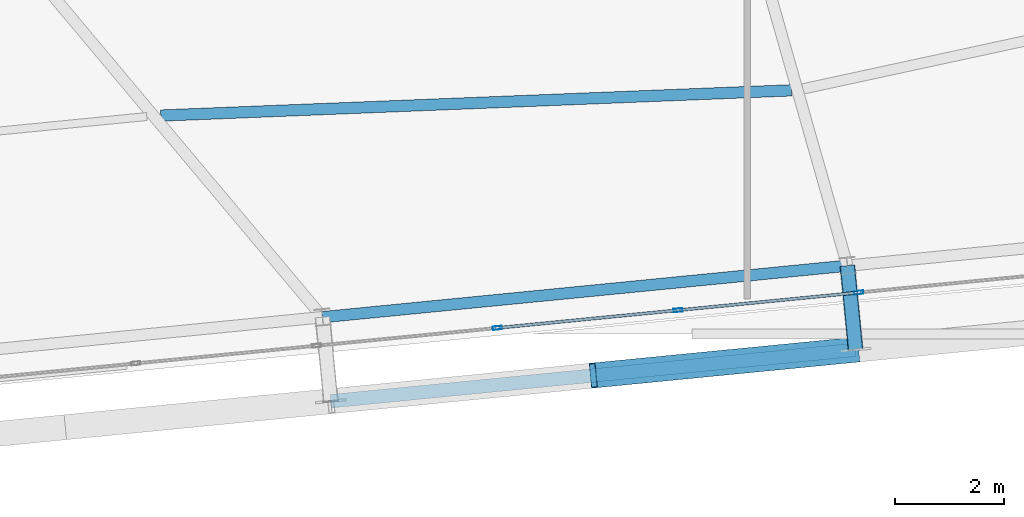
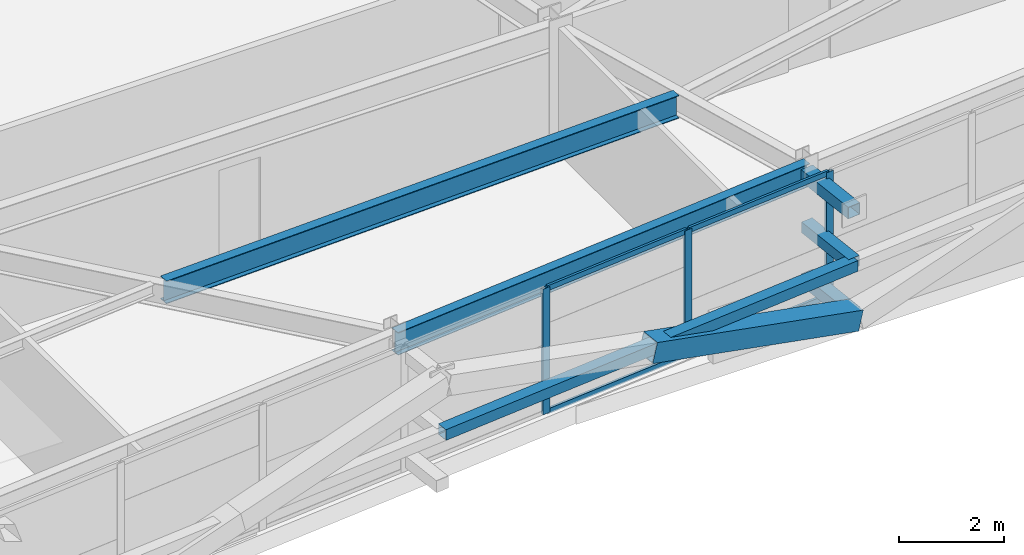
# One storey, part 17 of 51: 12 members, 2 beams, 1 element without a shape of its own.
"""IFC4 building model written with IfcOpenShell, lengths in metres."""

from ifc_helpers import new_model, si_unit, direction, frame, origin, origin_2d, place, context, subcontext, project, spatial, hollow_rectangle, i_section, extrude, source, transform, mapped, material, layer, layer_set, material_profile, profile_set, type_object, element, aggregate, save


model = new_model("IFC4")

# Units and contexts
model_context = context("Model", 3, precision=1e-05, world=origin(), true_north=direction((0.0, 1.0)))
body_context = subcontext(model_context, "Body", "Model", "MODEL_VIEW")
ifc_project = project(units=[si_unit("LENGTHUNIT", "METRE"), si_unit("AREAUNIT", "SQUARE_METRE"), si_unit("VOLUMEUNIT", "CUBIC_METRE"), si_unit("PLANEANGLEUNIT", "RADIAN"), si_unit("MASSUNIT", "GRAM", prefix="KILO")], contexts=[model_context])

# Site, building, storey
site_placement = place(None, origin())
site = spatial("IfcSite", under=ifc_project, at=site_placement, CompositionType="ELEMENT")
building_placement = place(site_placement, origin())
building = spatial("IfcBuilding", under=site, at=building_placement, Name="Taldren Reach Tower", CompositionType="ELEMENT")
storey_placement = place(building_placement, frame((0.0, 0.0, 65.10009765625)))
storey = spatial("IfcBuildingStorey", under=building, at=storey_placement, Name="L19", CompositionType="ELEMENT", Elevation=65.10009765625)

# Members
ifc_material_1 = material(Name="Steel Gr 450 (C450L0)", Category="steel")
ifc_material_profile_1 = material_profile(ifc_material_1, hollow_rectangle(XDim=0.27490234375, YDim=0.27490234375, WallThickness=0.00927734375, at=origin_2d()), Name="275x275x9.3SHS")
ifc_profile_set_1 = profile_set([ifc_material_profile_1], Name="Steel Gr 450 (C450L0)")
member_type_1 = type_object("IfcMemberType", Name="MB-TIE273", PredefinedType="STRUT", material=ifc_profile_set_1)
shared_shape_1 = source(origin(), body_context, "Body", "SweptSolid", [
    extrude(hollow_rectangle(XDim=0.27490234375, YDim=0.27490234375, WallThickness=0.00927734375, at=origin_2d()), origin(), (0.0, 0.0, 1.0), 1.5498046875),
])
for number, where, z_axis, x_axis, name in (
    (1, (43.83544921875, 2.75390625, 2.64990234375), (0.097663201064, -0.995219523099, 0.0), (0.995219523099, 0.097663201064, 0.0), "Exoskeleton diaphragm tie strut B2-S4 L19"),
    (2, (43.83544921875, 2.75390625, 0.219970703125), (0.097663201064, -0.995219523099, 0.0), (0.995219523099, 0.097663201064, 0.0), "Exoskeleton base diaphragm tie strut B2-S4 L19"),
):
    element("IfcMember", number, at=place(storey_placement, frame(where, z_axis=z_axis, x_axis=x_axis)), inside=storey, type_object=member_type_1, Name=name, PredefinedType="STRUT", context=body_context, shape_type="MappedRepresentation", body=[
        mapped(shared_shape_1, transform((0.0, 0.0, 0.0), scale=1.0)),
    ])
ifc_material_2 = material(Name="Steel Gr 350 (C350L0)", Category="steel")
ifc_material_profile_2 = material_profile(ifc_material_2, hollow_rectangle(XDim=0.25, YDim=0.25, WallThickness=0.010009765625, at=origin_2d()), Name="250x250x10.0SHS")
ifc_profile_set_2 = profile_set([ifc_material_profile_2], Name="Steel Gr 350 (C350L0)")
member_type_2 = type_object("IfcMemberType", Name="MB-POST250", PredefinedType="POST", material=ifc_profile_set_2)
shared_shape_2 = source(origin(), body_context, "Body", "SweptSolid", [
    extrude(hollow_rectangle(XDim=0.25, YDim=0.25, WallThickness=0.010009765625, at=origin_2d()), origin(), (0.0, 0.0, 1.0), 1.5498046875),
])
member_1_placement = place(storey_placement, frame((43.83544921875, 2.75390625, 1.434814453125), z_axis=(0.097663201064, -0.995219523099, 0.0), x_axis=(0.995219523099, 0.097663201064, 0.0)))
element("IfcMember", 3, at=member_1_placement, inside=storey, type_object=member_type_2, Name="Exoskeleton mid-tier diaphragm tie B2-S4 L19", PredefinedType="POST", context=body_context, shape_type="MappedRepresentation", body=[
    mapped(shared_shape_2, transform((0.0, 0.0, 0.0), scale=1.0)),
])

# Beams
ifc_material_3 = material(Name="Steel Gr 350 (350PLUS)", Category="steel")
ifc_material_profile_3 = material_profile(ifc_material_3, i_section(OverallWidth=0.208984375, OverallDepth=0.528076171875, WebThickness=0.009521484375, FlangeThickness=0.01318359375, at=origin_2d()), Name="530UB82.0")
ifc_profile_set_3 = profile_set([ifc_material_profile_3], Name="Steel Gr 350 (350PLUS)")
beam_type_1 = type_object("IfcBeamType", Name="SP-UB530B", PredefinedType="SPANDREL", material=ifc_profile_set_3)
shared_shape_3 = source(origin(), body_context, "Body", "SweptSolid", [
    extrude(i_section(OverallWidth=0.208984375, OverallDepth=0.528076171875, WebThickness=0.009521484375, FlangeThickness=0.01318359375, at=origin_2d()), origin(), (0.0, 0.0, 1.0), 9.679931640625),
])
beam_1_placement = place(storey_placement, frame((34.20166015625, 1.809326171875, 2.666015625), z_axis=(0.995227612658, 0.097580730699, 0.0), x_axis=(-0.097580730699, 0.995227612658, 0.0)))
element("IfcBeam", 4, at=beam_1_placement, inside=storey, type_object=beam_type_1, Name="Perimeter spandrel B2 S3-S4 L19", PredefinedType="SPANDREL", context=body_context, shape_type="MappedRepresentation", body=[
    mapped(shared_shape_3, transform((0.0, 0.0, 0.0), scale=1.0)),
])
ifc_material_profile_4 = material_profile(ifc_material_3, i_section(OverallWidth=0.208984375, OverallDepth=0.532958984375, WebThickness=0.01025390625, FlangeThickness=0.015625, at=origin_2d()), Name="530UB92.4")
ifc_profile_set_4 = profile_set([ifc_material_profile_4], Name="Steel Gr 350 (350PLUS)")
beam_type_2 = type_object("IfcBeamType", Name="BM-UB530A", PredefinedType="BEAM", material=ifc_profile_set_4)
shared_shape_4 = source(origin(), body_context, "Body", "SweptSolid", [
    extrude(i_section(OverallWidth=0.208984375, OverallDepth=0.532958984375, WebThickness=0.01025390625, FlangeThickness=0.015625, at=origin_2d()), origin(), (0.0, 0.0, 1.0), 11.586669921875),
])
beam_2_placement = place(storey_placement, frame((31.23291015625, 5.510009765625, 2.663330078125), z_axis=(0.999202506312, 0.039929329821, 0.0), x_axis=(-0.039929329821, 0.999202506312, 0.0)))
element("IfcBeam", 5, at=beam_2_placement, inside=storey, type_object=beam_type_2, Name="Secondary floor beam B2 J3 L19", PredefinedType="BEAM", context=body_context, shape_type="MappedRepresentation", body=[
    mapped(shared_shape_4, transform((0.0, 0.0, 0.0), scale=1.0)),
])

# Members
ifc_material_profile_5 = material_profile(ifc_material_1, hollow_rectangle(XDim=0.4599609375, YDim=0.4599609375, WallThickness=0.01611328125, at=origin_2d()), Name="460x460x16.0SHS")
ifc_profile_set_5 = profile_set([ifc_material_profile_5], Name="Steel Gr 450 (C450L0)")
member_type_3 = type_object("IfcMemberType", Name="MB-EXO457", PredefinedType="BRACE", material=ifc_profile_set_5)
shared_shape_5 = source(origin(), body_context, "Body", "SweptSolid", [
    extrude(hollow_rectangle(XDim=0.4599609375, YDim=0.4599609375, WallThickness=0.01611328125, at=origin_2d()), origin(), (0.0, 0.0, 1.0), 4.990234375),
])
member_2_placement = place(storey_placement, frame((43.98681640625, 1.21142578125, 0.219970703125), z_axis=(-0.965282554799, -0.094669120301, 0.243448859234), x_axis=(0.097605711627, -0.995225162995, 0.0)))
element("IfcMember", 6, at=member_2_placement, inside=storey, type_object=member_type_3, Name="Exoskeleton Diagrid Brace B2-S3 L19", PredefinedType="BRACE", context=body_context, shape_type="MappedRepresentation", body=[
    mapped(shared_shape_5, transform((0.0, 0.0, 0.0), scale=1.0)),
])
shared_shape_6 = source(origin(), body_context, "Body", "SweptSolid", [
    extrude(hollow_rectangle(XDim=0.25, YDim=0.25, WallThickness=0.010009765625, at=origin_2d()), origin(), (0.0, 0.0, 1.0), 9.679931640625),
])
member_3_placement = place(storey_placement, frame((34.35302734375, 0.2666015625, 1.434814453125), z_axis=(0.995225162995, 0.097605711627, 0.0), x_axis=(-0.097605711627, 0.995225162995, 0.0)))
element("IfcMember", 7, at=member_3_placement, inside=storey, type_object=member_type_2, Name="Exoskeleton mid-height ring chord B2-S3 L19", PredefinedType="POST", context=body_context, shape_type="MappedRepresentation", body=[
    mapped(shared_shape_6, transform((0.0, 0.0, 0.0), scale=1.0)),
])

# Curtain wall, members
ifc_material_4 = material(Name="Aluminium and Low-E Glass Unitised System", Category="aluminium")
ifc_layer = layer(ifc_material_4, 0.159912109375)
ifc_layer_set = layer_set([ifc_layer], Name="Aluminium and Low-E Glass Unitised System")
curtain_wall_type = type_object("IfcCurtainWallType", Name="CW-SYS-3", PredefinedType="NOTDEFINED", material=ifc_layer_set)
curtain_wall_placement = place(storey_placement, origin())
curtain_wall = element("IfcCurtainWall", 8, at=curtain_wall_placement, inside=storey, type_object=curtain_wall_type, Name="Unitised curtain wall CW-L19-S", PredefinedType="NOTDEFINED")
ifc_material_5 = material(Name="Anodised Aluminium 6063-T6", Category="aluminium")
ifc_material_profile_6 = material_profile(ifc_material_5, hollow_rectangle(XDim=0.06494140625, YDim=0.1650390625, WallThickness=0.00390625, at=origin_2d()), Name="ALU-165x65x4RHS")
ifc_profile_set_6 = profile_set([ifc_material_profile_6], Name="Anodised Aluminium 6063-T6")
member_type_4 = type_object("IfcMemberType", Name="CW-MUL-165", PredefinedType="MULLION", material=ifc_profile_set_6)
shared_shape_7 = source(origin(), body_context, "Body", "SweptSolid", [
    extrude(hollow_rectangle(XDim=0.06494140625, YDim=0.1650390625, WallThickness=0.00390625, at=origin_2d()), origin(), (0.0, 0.0, 1.0), 2.929931640625),
])
member_4_placement = place(storey_placement, frame((37.40966796875, 1.611328125, 0.0), z_axis=(0.0, 0.0, 1.0), x_axis=(-0.097582999046, 0.995227390247, 0.0)))
member_4 = element("IfcMember", 9, at=member_4_placement, type_object=member_type_4, Name="CW-3 mullion 8", PredefinedType="MULLION", context=body_context, shape_type="MappedRepresentation", body=[
    mapped(shared_shape_7, transform((0.0, 0.0, 0.0), scale=1.0)),
])
member_5_placement = place(storey_placement, frame((40.72705078125, 1.936767578125, 0.0), z_axis=(0.0, 0.0, 1.0), x_axis=(-0.097582999046, 0.995227390247, 0.0)))
member_5 = element("IfcMember", 10, at=member_5_placement, type_object=member_type_4, Name="CW-3 mullion 9", PredefinedType="MULLION", context=body_context, shape_type="MappedRepresentation", body=[
    mapped(shared_shape_7, transform((0.0, 0.0, 0.0), scale=1.0)),
])
member_6_placement = place(storey_placement, frame((44.044677734375, 2.261962890625, 0.0), z_axis=(0.0, 0.0, 1.0), x_axis=(-0.097582999046, 0.995227390247, 0.0)))
member_6 = element("IfcMember", 11, at=member_6_placement, type_object=member_type_4, Name="CW-3 mullion 10", PredefinedType="MULLION", context=body_context, shape_type="MappedRepresentation", body=[
    mapped(shared_shape_7, transform((0.0, 0.0, 0.0), scale=1.0)),
])
ifc_material_profile_7 = material_profile(ifc_material_5, hollow_rectangle(XDim=0.054931640625, YDim=0.1201171875, WallThickness=0.0029296875, at=origin_2d()), Name="ALU-120x55x3RHS")
ifc_profile_set_7 = profile_set([ifc_material_profile_7], Name="Anodised Aluminium 6063-T6")
member_type_5 = type_object("IfcMemberType", Name="CW-TRN-135", PredefinedType="USERDEFINED", material=ifc_profile_set_7)
shared_shape_8 = source(origin(), body_context, "Body", "SweptSolid", [
    extrude(hollow_rectangle(XDim=0.054931640625, YDim=0.1201171875, WallThickness=0.0029296875, at=origin_2d()), origin(), (0.0, 0.0, 1.0), 3.268310546875),
])
member_7_placement = place(storey_placement, frame((37.442138671875, 1.614501953125, 0.02734375), z_axis=(0.995222549564, 0.097632355496, 0.0), x_axis=(-0.097632355496, 0.995222549564, 0.0)))
member_7 = element("IfcMember", 12, at=member_7_placement, type_object=member_type_5, Name="CW-3 transom 8.1", ObjectType="TRANSOM", PredefinedType="USERDEFINED", context=body_context, shape_type="MappedRepresentation", body=[
    mapped(shared_shape_8, transform((0.0, 0.0, 0.0), scale=1.0)),
])
member_8_placement = place(storey_placement, frame((37.442138671875, 1.614501953125, 2.90234375), z_axis=(0.995222549564, 0.097632355496, 0.0), x_axis=(-0.097632355496, 0.995222549564, 0.0)))
member_8 = element("IfcMember", 13, at=member_8_placement, type_object=member_type_5, Name="CW-3 transom 8.2", ObjectType="TRANSOM", PredefinedType="USERDEFINED", context=body_context, shape_type="MappedRepresentation", body=[
    mapped(shared_shape_8, transform((0.0, 0.0, 0.0), scale=1.0)),
])
member_9_placement = place(storey_placement, frame((40.759521484375, 1.93994140625, 0.02734375), z_axis=(0.99522980512, 0.097558367146, 0.0), x_axis=(-0.097558367146, 0.99522980512, 0.0)))
member_9 = element("IfcMember", 14, at=member_9_placement, type_object=member_type_5, Name="CW-3 transom 9.1", ObjectType="TRANSOM", PredefinedType="USERDEFINED", context=body_context, shape_type="MappedRepresentation", body=[
    mapped(shared_shape_8, transform((0.0, 0.0, 0.0), scale=1.0)),
])
member_10_placement = place(storey_placement, frame((40.759521484375, 1.93994140625, 2.90234375), z_axis=(0.99522980512, 0.097558367146, 0.0), x_axis=(-0.097558367146, 0.99522980512, 0.0)))
member_10 = element("IfcMember", 15, at=member_10_placement, type_object=member_type_5, Name="CW-3 transom 9.2", ObjectType="TRANSOM", PredefinedType="USERDEFINED", context=body_context, shape_type="MappedRepresentation", body=[
    mapped(shared_shape_8, transform((0.0, 0.0, 0.0), scale=1.0)),
])
aggregate(curtain_wall, [member_4, member_5, member_6, member_7, member_8, member_9, member_10])

save(model, "model.ifc")
